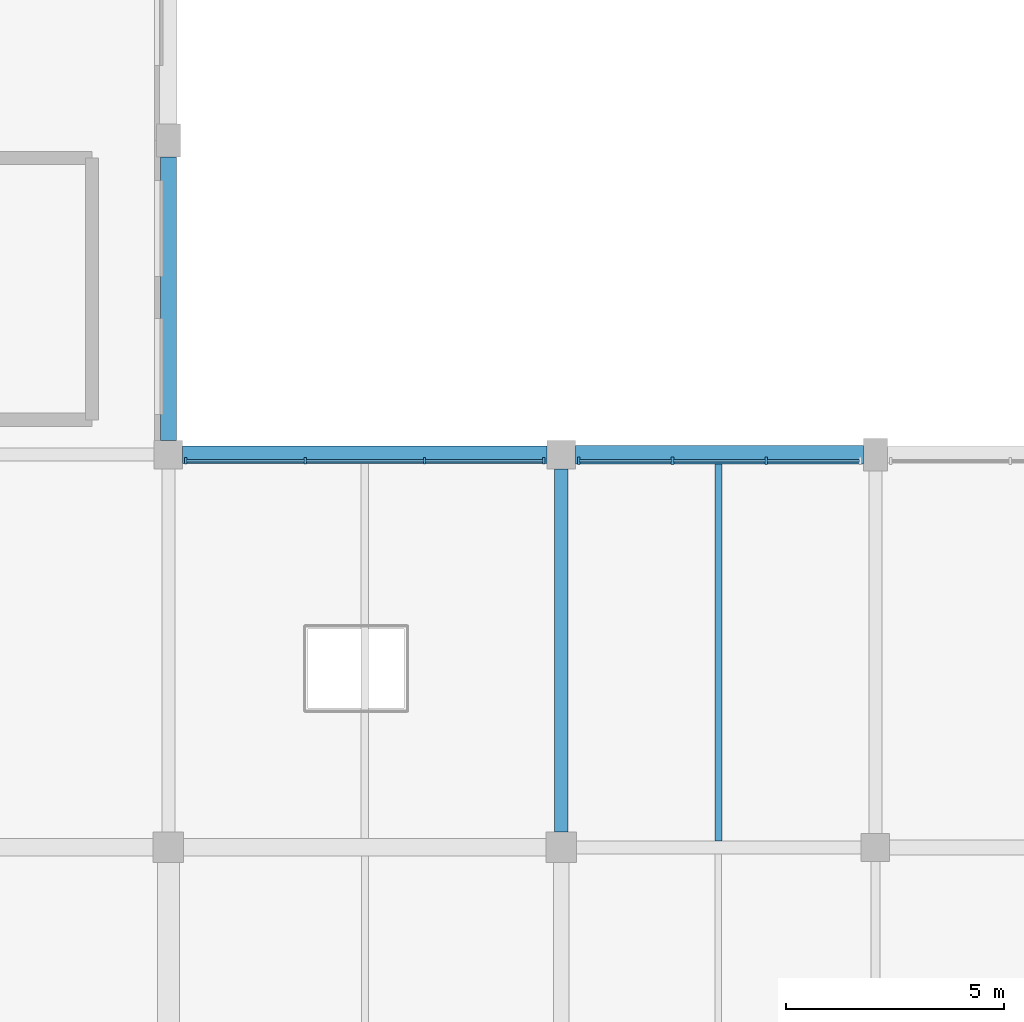
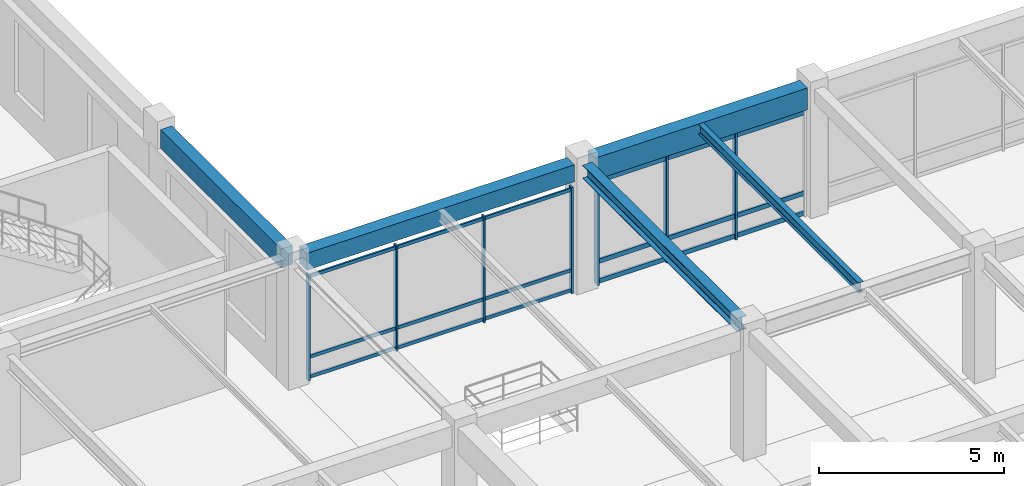
# One storey, part 11 of 62: 25 members, 5 beams, 2 elements without a shape of their own.
"""IFC4 building model written with IfcOpenShell, lengths in metres."""

from ifc_helpers import new_model, si_unit, direction, frame, origin, origin_2d, place, context, subcontext, project, spatial, rectangle, i_section, extrude, material, material_profile, profile_set, type_object, element, aggregate, save


model = new_model("IFC4")

# Units and contexts
model_context = context("Model", 3, precision=1e-05, world=origin(), true_north=direction((0.0, 1.0)))
body_context = subcontext(model_context, "Body", "Model", "MODEL_VIEW")
ifc_project = project(units=[si_unit("LENGTHUNIT", "METRE"), si_unit("AREAUNIT", "SQUARE_METRE"), si_unit("VOLUMEUNIT", "CUBIC_METRE"), si_unit("PLANEANGLEUNIT", "RADIAN"), si_unit("MASSUNIT", "GRAM", prefix="KILO")], contexts=[model_context])

# Site, building, storey
site_placement = place(None, origin())
site = spatial("IfcSite", under=ifc_project, at=site_placement, CompositionType="ELEMENT")
building_placement = place(site_placement, origin())
building = spatial("IfcBuilding", under=site, at=building_placement, Name="Clarverna Civic Hall", CompositionType="ELEMENT")
storey_placement = place(building_placement, frame((0.0, 0.0, 5.10009765625)))
storey = spatial("IfcBuildingStorey", under=building, at=storey_placement, Name="L01", CompositionType="ELEMENT", Elevation=5.10009765625)

# Beams
ifc_material_1 = material(Name="Concrete C35/45", Category="concrete")
ifc_material_profile_1 = material_profile(ifc_material_1, rectangle(XDim=0.419921875, YDim=0.719970703125, at=origin_2d()), Name="RC 420x720")
ifc_profile_set_1 = profile_set([ifc_material_profile_1], Name="Concrete C35/45")
beam_type_1 = type_object("IfcBeamType", Name="B-SP1", PredefinedType="SPANDREL", material=ifc_profile_set_1)
beam_1_placement = place(storey_placement, frame((25.52490234375, 71.60009765625, 3.85986328125), z_axis=(1.0, 0.0, 0.0), x_axis=(0.0, 1.0, 0.0)))
element("IfcBeam", 1, at=beam_1_placement, inside=storey, type_object=beam_type_1, Name="B-SP1-062", PredefinedType="SPANDREL", context=body_context, shape_type="SweptSolid", body=[
    extrude(rectangle(XDim=0.419921875, YDim=0.719970703125, at=origin_2d()), origin(), (0.0, 0.0, 1.0), 6.60009765625),
])
ifc_material_profile_2 = material_profile(ifc_material_1, rectangle(XDim=0.360107421875, YDim=0.6201171875, at=origin_2d()), Name="RC 360x620")
ifc_profile_set_2 = profile_set([ifc_material_profile_2], Name="Concrete C35/45")
beam_type_2 = type_object("IfcBeamType", Name="B-SP3", PredefinedType="SPANDREL", material=ifc_profile_set_2)
beam_2_placement = place(storey_placement, frame((16.199951171875, 71.925048828125, 3.909912109375), z_axis=(0.0, 1.0, 0.0), x_axis=(-1.0, 0.0, 0.0)))
element("IfcBeam", 2, at=beam_2_placement, inside=storey, type_object=beam_type_2, Name="B-SP3-074", PredefinedType="SPANDREL", context=body_context, shape_type="SweptSolid", body=[
    extrude(rectangle(XDim=0.360107421875, YDim=0.6201171875, at=origin_2d()), origin(), (0.0, 0.0, 1.0), 6.5),
])
ifc_material_profile_3 = material_profile(ifc_material_1, rectangle(XDim=0.39990234375, YDim=0.56005859375, at=origin_2d()), Name="RC 400x560")
ifc_profile_set_3 = profile_set([ifc_material_profile_3], Name="Concrete C35/45")
beam_type_3 = type_object("IfcBeamType", Name="B-SP4", PredefinedType="SPANDREL", material=ifc_profile_set_3)
beam_3_placement = place(storey_placement, frame((16.52490234375, 71.60009765625, 3.93994140625), z_axis=(1.0, 0.0, 0.0), x_axis=(0.0, 1.0, 0.0)))
element("IfcBeam", 3, at=beam_3_placement, inside=storey, type_object=beam_type_3, Name="B-SP4-057", PredefinedType="SPANDREL", context=body_context, shape_type="SweptSolid", body=[
    extrude(rectangle(XDim=0.39990234375, YDim=0.56005859375, at=origin_2d()), origin(), (0.0, 0.0, 1.0), 8.35009765625),
])
ifc_material_2 = material(Name="Steel S355", Category="steel")
ifc_material_profile_4 = material_profile(ifc_material_2, i_section(OverallWidth=0.300048828125, OverallDepth=0.43994140625, WebThickness=0.011474609375, FlangeThickness=0.02099609375, FilletRadius=0.027099609375, at=origin_2d()), Name="HEA 450")
ifc_profile_set_4 = profile_set([ifc_material_profile_4], Name="Steel S355")
beam_type_4 = type_object("IfcBeamType", Name="B-ST5", PredefinedType="BEAM", material=ifc_profile_set_4)
beam_4_placement = place(storey_placement, frame((25.199951171875, 62.949951171875, 4.0), z_axis=(0.0, 1.0, 0.0), x_axis=(-1.0, 0.0, 0.0)))
element("IfcBeam", 4, at=beam_4_placement, inside=storey, type_object=beam_type_4, Name="B-ST5-054", PredefinedType="BEAM", context=body_context, shape_type="SweptSolid", body=[
    extrude(i_section(OverallWidth=0.300048828125, OverallDepth=0.43994140625, WebThickness=0.011474609375, FlangeThickness=0.02099609375, FilletRadius=0.027099609375, at=origin_2d()), origin(), (0.0, 0.0, 1.0), 8.324951171875),
])

# Curtain wall, members
ifc_material_3 = material(Name="Anodised Bronze Architectural Aluminium", Category="aluminium")
curtain_wall_type = type_object("IfcCurtainWallType", Name="CW-04", PredefinedType="USERDEFINED", material=ifc_material_3)
curtain_wall_1_placement = place(storey_placement, origin())
curtain_wall_1 = element("IfcCurtainWall", 5, at=curtain_wall_1_placement, inside=storey, type_object=curtain_wall_type, Name="CW-04-019", ObjectType="UNITISED CURTAIN WALL", PredefinedType="USERDEFINED")
ifc_material_profile_5 = material_profile(ifc_material_3, rectangle(XDim=0.06005859375, YDim=0.179931640625, at=origin_2d()), Name="BRONZE 60x180")
ifc_profile_set_5 = profile_set([ifc_material_profile_5], Name="Anodised Bronze Architectural Aluminium")
member_type_1 = type_object("IfcMemberType", Name="CWM-01", PredefinedType="MULLION", material=ifc_profile_set_5)
member_1_placement = place(storey_placement, frame((25.597900390625, 71.4599609375, 0.0), z_axis=(0.0, 0.0, 1.0), x_axis=(1.0, 0.0, 0.0)))
member_1 = element("IfcMember", 6, at=member_1_placement, type_object=member_type_1, Name="CWM-01-059", PredefinedType="MULLION", context=body_context, shape_type="SweptSolid", body=[
    extrude(rectangle(XDim=0.06005859375, YDim=0.179931640625, at=origin_2d()), origin(), (0.0, 0.0, 1.0), 3.5),
])
member_2_placement = place(storey_placement, frame((27.749267578125, 71.4599609375, 0.0), z_axis=(0.0, 0.0, 1.0), x_axis=(1.0, 0.0, 0.0)))
member_2 = element("IfcMember", 7, at=member_2_placement, type_object=member_type_1, Name="CWM-01-060", PredefinedType="MULLION", context=body_context, shape_type="SweptSolid", body=[
    extrude(rectangle(XDim=0.06005859375, YDim=0.179931640625, at=origin_2d()), origin(), (0.0, 0.0, 1.0), 3.5),
])
member_3_placement = place(storey_placement, frame((29.900634765625, 71.4599609375, 0.0), z_axis=(0.0, 0.0, 1.0), x_axis=(1.0, 0.0, 0.0)))
member_3 = element("IfcMember", 8, at=member_3_placement, type_object=member_type_1, Name="CWM-01-061", PredefinedType="MULLION", context=body_context, shape_type="SweptSolid", body=[
    extrude(rectangle(XDim=0.06005859375, YDim=0.179931640625, at=origin_2d()), origin(), (0.0, 0.0, 1.0), 3.5),
])

curtain_wall_2_placement = place(storey_placement, origin())
curtain_wall_2 = element("IfcCurtainWall", 9, at=curtain_wall_2_placement, inside=storey, type_object=curtain_wall_type, Name="CW-04-018", ObjectType="UNITISED CURTAIN WALL", PredefinedType="USERDEFINED")
ifc_material_profile_6 = material_profile(ifc_material_3, rectangle(XDim=0.054931640625, YDim=0.139892578125, at=origin_2d()), Name="BRONZE 55x140")
ifc_profile_set_6 = profile_set([ifc_material_profile_6], Name="Anodised Bronze Architectural Aluminium")
member_type_2 = type_object("IfcMemberType", Name="CWM-04", PredefinedType="MULLION", material=ifc_profile_set_6)
member_4_placement = place(storey_placement, frame((16.597900390625, 71.4599609375, 0.0), z_axis=(0.0, 0.0, 1.0), x_axis=(1.0, 0.0, 0.0)))
member_4 = element("IfcMember", 10, at=member_4_placement, type_object=member_type_2, Name="CWM-04-069", PredefinedType="MULLION", context=body_context, shape_type="SweptSolid", body=[
    extrude(rectangle(XDim=0.054931640625, YDim=0.139892578125, at=origin_2d()), origin(), (0.0, 0.0, 1.0), 3.5),
])
member_5_placement = place(storey_placement, frame((19.332763671875, 71.4599609375, 0.0), z_axis=(0.0, 0.0, 1.0), x_axis=(1.0, 0.0, 0.0)))
member_5 = element("IfcMember", 11, at=member_5_placement, type_object=member_type_2, Name="CWM-04-070", PredefinedType="MULLION", context=body_context, shape_type="SweptSolid", body=[
    extrude(rectangle(XDim=0.054931640625, YDim=0.139892578125, at=origin_2d()), origin(), (0.0, 0.0, 1.0), 3.5),
])
member_6_placement = place(storey_placement, frame((22.0673828125, 71.4599609375, 0.0), z_axis=(0.0, 0.0, 1.0), x_axis=(1.0, 0.0, 0.0)))
member_6 = element("IfcMember", 12, at=member_6_placement, type_object=member_type_2, Name="CWM-04-071", PredefinedType="MULLION", context=body_context, shape_type="SweptSolid", body=[
    extrude(rectangle(XDim=0.054931640625, YDim=0.139892578125, at=origin_2d()), origin(), (0.0, 0.0, 1.0), 3.5),
])
member_7_placement = place(storey_placement, frame((24.802001953125, 71.4599609375, 0.0), z_axis=(0.0, 0.0, 1.0), x_axis=(1.0, 0.0, 0.0)))
member_7 = element("IfcMember", 13, at=member_7_placement, type_object=member_type_2, Name="CWM-04-072", PredefinedType="MULLION", context=body_context, shape_type="SweptSolid", body=[
    extrude(rectangle(XDim=0.054931640625, YDim=0.139892578125, at=origin_2d()), origin(), (0.0, 0.0, 1.0), 3.5),
])

# Member
ifc_material_profile_7 = material_profile(ifc_material_3, rectangle(XDim=0.06005859375, YDim=0.14990234375, at=origin_2d()), Name="BRONZE 60x150")
ifc_profile_set_7 = profile_set([ifc_material_profile_7], Name="Anodised Bronze Architectural Aluminium")
member_type_3 = type_object("IfcMemberType", Name="CWT-01", PredefinedType="USERDEFINED", material=ifc_profile_set_7)
member_8_placement = place(storey_placement, frame((25.613037109375, 71.4599609375, 0.094970703125), z_axis=(1.0, 0.0, 0.0), x_axis=(0.0, 1.0, 0.0)))
member_8 = element("IfcMember", 14, at=member_8_placement, type_object=member_type_3, Name="CWT-01-121", ObjectType="TRANSOM", PredefinedType="USERDEFINED", context=body_context, shape_type="SweptSolid", body=[
    extrude(rectangle(XDim=0.06005859375, YDim=0.14990234375, at=origin_2d()), origin(), (0.0, 0.0, 1.0), 2.121337890625),
])

member_9_placement = place(storey_placement, frame((25.613037109375, 71.4599609375, 0.75), z_axis=(1.0, 0.0, 0.0), x_axis=(0.0, 1.0, 0.0)))
member_9 = element("IfcMember", 15, at=member_9_placement, type_object=member_type_3, Name="CWT-01-122", ObjectType="TRANSOM", PredefinedType="USERDEFINED", context=body_context, shape_type="SweptSolid", body=[
    extrude(rectangle(XDim=0.06005859375, YDim=0.14990234375, at=origin_2d()), origin(), (0.0, 0.0, 1.0), 2.121337890625),
])

member_10_placement = place(storey_placement, frame((25.613037109375, 71.4599609375, 3.40478515625), z_axis=(1.0, 0.0, 0.0), x_axis=(0.0, 1.0, 0.0)))
member_10 = element("IfcMember", 16, at=member_10_placement, type_object=member_type_3, Name="CWT-01-123", ObjectType="TRANSOM", PredefinedType="USERDEFINED", context=body_context, shape_type="SweptSolid", body=[
    extrude(rectangle(XDim=0.06005859375, YDim=0.14990234375, at=origin_2d()), origin(), (0.0, 0.0, 1.0), 2.121337890625),
])

member_11_placement = place(storey_placement, frame((27.764404296875, 71.4599609375, 0.094970703125), z_axis=(1.0, 0.0, 0.0), x_axis=(0.0, 1.0, 0.0)))
member_11 = element("IfcMember", 17, at=member_11_placement, type_object=member_type_3, Name="CWT-01-124", ObjectType="TRANSOM", PredefinedType="USERDEFINED", context=body_context, shape_type="SweptSolid", body=[
    extrude(rectangle(XDim=0.06005859375, YDim=0.14990234375, at=origin_2d()), origin(), (0.0, 0.0, 1.0), 2.121337890625),
])

member_12_placement = place(storey_placement, frame((27.764404296875, 71.4599609375, 0.75), z_axis=(1.0, 0.0, 0.0), x_axis=(0.0, 1.0, 0.0)))
member_12 = element("IfcMember", 18, at=member_12_placement, type_object=member_type_3, Name="CWT-01-125", ObjectType="TRANSOM", PredefinedType="USERDEFINED", context=body_context, shape_type="SweptSolid", body=[
    extrude(rectangle(XDim=0.06005859375, YDim=0.14990234375, at=origin_2d()), origin(), (0.0, 0.0, 1.0), 2.121337890625),
])

member_13_placement = place(storey_placement, frame((27.764404296875, 71.4599609375, 3.40478515625), z_axis=(1.0, 0.0, 0.0), x_axis=(0.0, 1.0, 0.0)))
member_13 = element("IfcMember", 19, at=member_13_placement, type_object=member_type_3, Name="CWT-01-126", ObjectType="TRANSOM", PredefinedType="USERDEFINED", context=body_context, shape_type="SweptSolid", body=[
    extrude(rectangle(XDim=0.06005859375, YDim=0.14990234375, at=origin_2d()), origin(), (0.0, 0.0, 1.0), 2.121337890625),
])

member_14_placement = place(storey_placement, frame((29.915771484375, 71.4599609375, 0.094970703125), z_axis=(1.0, 0.0, 0.0), x_axis=(0.0, 1.0, 0.0)))
member_14 = element("IfcMember", 20, at=member_14_placement, type_object=member_type_3, Name="CWT-01-127", ObjectType="TRANSOM", PredefinedType="USERDEFINED", context=body_context, shape_type="SweptSolid", body=[
    extrude(rectangle(XDim=0.06005859375, YDim=0.14990234375, at=origin_2d()), origin(), (0.0, 0.0, 1.0), 2.121337890625),
])

member_15_placement = place(storey_placement, frame((29.915771484375, 71.4599609375, 0.75), z_axis=(1.0, 0.0, 0.0), x_axis=(0.0, 1.0, 0.0)))
member_15 = element("IfcMember", 21, at=member_15_placement, type_object=member_type_3, Name="CWT-01-128", ObjectType="TRANSOM", PredefinedType="USERDEFINED", context=body_context, shape_type="SweptSolid", body=[
    extrude(rectangle(XDim=0.06005859375, YDim=0.14990234375, at=origin_2d()), origin(), (0.0, 0.0, 1.0), 2.121337890625),
])

member_16_placement = place(storey_placement, frame((29.915771484375, 71.4599609375, 3.40478515625), z_axis=(1.0, 0.0, 0.0), x_axis=(0.0, 1.0, 0.0)))
member_16 = element("IfcMember", 22, at=member_16_placement, type_object=member_type_3, Name="CWT-01-129", ObjectType="TRANSOM", PredefinedType="USERDEFINED", context=body_context, shape_type="SweptSolid", body=[
    extrude(rectangle(XDim=0.06005859375, YDim=0.14990234375, at=origin_2d()), origin(), (0.0, 0.0, 1.0), 2.121337890625),
])

aggregate(curtain_wall_1, [member_1, member_2, member_3, member_8, member_9, member_10, member_11, member_12, member_13, member_14, member_15, member_16])

ifc_material_profile_8 = material_profile(ifc_material_3, rectangle(XDim=0.054931640625, YDim=0.110107421875, at=origin_2d()), Name="BRONZE 55x110")
ifc_profile_set_8 = profile_set([ifc_material_profile_8], Name="Anodised Bronze Architectural Aluminium")
member_type_4 = type_object("IfcMemberType", Name="CWT-04", PredefinedType="USERDEFINED", material=ifc_profile_set_8)
member_17_placement = place(storey_placement, frame((16.613037109375, 71.4599609375, 0.094970703125), z_axis=(1.0, 0.0, 0.0), x_axis=(0.0, 1.0, 0.0)))
member_17 = element("IfcMember", 23, at=member_17_placement, type_object=member_type_4, Name="CWT-04-142", ObjectType="TRANSOM", PredefinedType="USERDEFINED", context=body_context, shape_type="SweptSolid", body=[
    extrude(rectangle(XDim=0.054931640625, YDim=0.110107421875, at=origin_2d()), origin(), (0.0, 0.0, 1.0), 2.70458984375),
])

member_18_placement = place(storey_placement, frame((16.613037109375, 71.4599609375, 0.75), z_axis=(1.0, 0.0, 0.0), x_axis=(0.0, 1.0, 0.0)))
member_18 = element("IfcMember", 24, at=member_18_placement, type_object=member_type_4, Name="CWT-04-143", ObjectType="TRANSOM", PredefinedType="USERDEFINED", context=body_context, shape_type="SweptSolid", body=[
    extrude(rectangle(XDim=0.054931640625, YDim=0.110107421875, at=origin_2d()), origin(), (0.0, 0.0, 1.0), 2.70458984375),
])

member_19_placement = place(storey_placement, frame((16.613037109375, 71.4599609375, 3.40478515625), z_axis=(1.0, 0.0, 0.0), x_axis=(0.0, 1.0, 0.0)))
member_19 = element("IfcMember", 25, at=member_19_placement, type_object=member_type_4, Name="CWT-04-144", ObjectType="TRANSOM", PredefinedType="USERDEFINED", context=body_context, shape_type="SweptSolid", body=[
    extrude(rectangle(XDim=0.054931640625, YDim=0.110107421875, at=origin_2d()), origin(), (0.0, 0.0, 1.0), 2.70458984375),
])

member_20_placement = place(storey_placement, frame((19.34765625, 71.4599609375, 0.094970703125), z_axis=(1.0, 0.0, 0.0), x_axis=(0.0, 1.0, 0.0)))
member_20 = element("IfcMember", 26, at=member_20_placement, type_object=member_type_4, Name="CWT-04-145", ObjectType="TRANSOM", PredefinedType="USERDEFINED", context=body_context, shape_type="SweptSolid", body=[
    extrude(rectangle(XDim=0.054931640625, YDim=0.110107421875, at=origin_2d()), origin(), (0.0, 0.0, 1.0), 2.70458984375),
])

member_21_placement = place(storey_placement, frame((19.34765625, 71.4599609375, 0.75), z_axis=(1.0, 0.0, 0.0), x_axis=(0.0, 1.0, 0.0)))
member_21 = element("IfcMember", 27, at=member_21_placement, type_object=member_type_4, Name="CWT-04-146", ObjectType="TRANSOM", PredefinedType="USERDEFINED", context=body_context, shape_type="SweptSolid", body=[
    extrude(rectangle(XDim=0.054931640625, YDim=0.110107421875, at=origin_2d()), origin(), (0.0, 0.0, 1.0), 2.70458984375),
])

member_22_placement = place(storey_placement, frame((19.34765625, 71.4599609375, 3.40478515625), z_axis=(1.0, 0.0, 0.0), x_axis=(0.0, 1.0, 0.0)))
member_22 = element("IfcMember", 28, at=member_22_placement, type_object=member_type_4, Name="CWT-04-147", ObjectType="TRANSOM", PredefinedType="USERDEFINED", context=body_context, shape_type="SweptSolid", body=[
    extrude(rectangle(XDim=0.054931640625, YDim=0.110107421875, at=origin_2d()), origin(), (0.0, 0.0, 1.0), 2.70458984375),
])

member_23_placement = place(storey_placement, frame((22.082275390625, 71.4599609375, 0.094970703125), z_axis=(1.0, 0.0, 0.0), x_axis=(0.0, 1.0, 0.0)))
member_23 = element("IfcMember", 29, at=member_23_placement, type_object=member_type_4, Name="CWT-04-148", ObjectType="TRANSOM", PredefinedType="USERDEFINED", context=body_context, shape_type="SweptSolid", body=[
    extrude(rectangle(XDim=0.054931640625, YDim=0.110107421875, at=origin_2d()), origin(), (0.0, 0.0, 1.0), 2.704833984375),
])

member_24_placement = place(storey_placement, frame((22.082275390625, 71.4599609375, 0.75), z_axis=(1.0, 0.0, 0.0), x_axis=(0.0, 1.0, 0.0)))
member_24 = element("IfcMember", 30, at=member_24_placement, type_object=member_type_4, Name="CWT-04-149", ObjectType="TRANSOM", PredefinedType="USERDEFINED", context=body_context, shape_type="SweptSolid", body=[
    extrude(rectangle(XDim=0.054931640625, YDim=0.110107421875, at=origin_2d()), origin(), (0.0, 0.0, 1.0), 2.704833984375),
])

member_25_placement = place(storey_placement, frame((22.082275390625, 71.4599609375, 3.40478515625), z_axis=(1.0, 0.0, 0.0), x_axis=(0.0, 1.0, 0.0)))
member_25 = element("IfcMember", 31, at=member_25_placement, type_object=member_type_4, Name="CWT-04-150", ObjectType="TRANSOM", PredefinedType="USERDEFINED", context=body_context, shape_type="SweptSolid", body=[
    extrude(rectangle(XDim=0.054931640625, YDim=0.110107421875, at=origin_2d()), origin(), (0.0, 0.0, 1.0), 2.704833984375),
])

aggregate(curtain_wall_2, [member_4, member_5, member_6, member_7, member_17, member_18, member_19, member_20, member_21, member_22, member_23, member_24, member_25])

# Beam
ifc_material_profile_9 = material_profile(ifc_material_2, i_section(OverallWidth=0.159912109375, OverallDepth=0.330078125, WebThickness=0.007568359375, FlangeThickness=0.011474609375, FilletRadius=0.01806640625, at=origin_2d()), Name="IPE 330")
ifc_profile_set_9 = profile_set([ifc_material_profile_9], Name="Steel S355")
beam_type_5 = type_object("IfcBeamType", Name="J-ST2", PredefinedType="JOIST", material=ifc_profile_set_9)
beam_5_placement = place(storey_placement, frame((28.800048828125, 62.75, 4.054931640625), z_axis=(0.0, 1.0, 0.0), x_axis=(-1.0, 0.0, 0.0)))
element("IfcBeam", 32, at=beam_5_placement, inside=storey, type_object=beam_type_5, Name="J-ST2-040", PredefinedType="JOIST", context=body_context, shape_type="SweptSolid", body=[
    extrude(i_section(OverallWidth=0.159912109375, OverallDepth=0.330078125, WebThickness=0.007568359375, FlangeThickness=0.011474609375, FilletRadius=0.01806640625, at=origin_2d()), origin(), (0.0, 0.0, 1.0), 8.639892578125),
])

save(model, "model.ifc")
